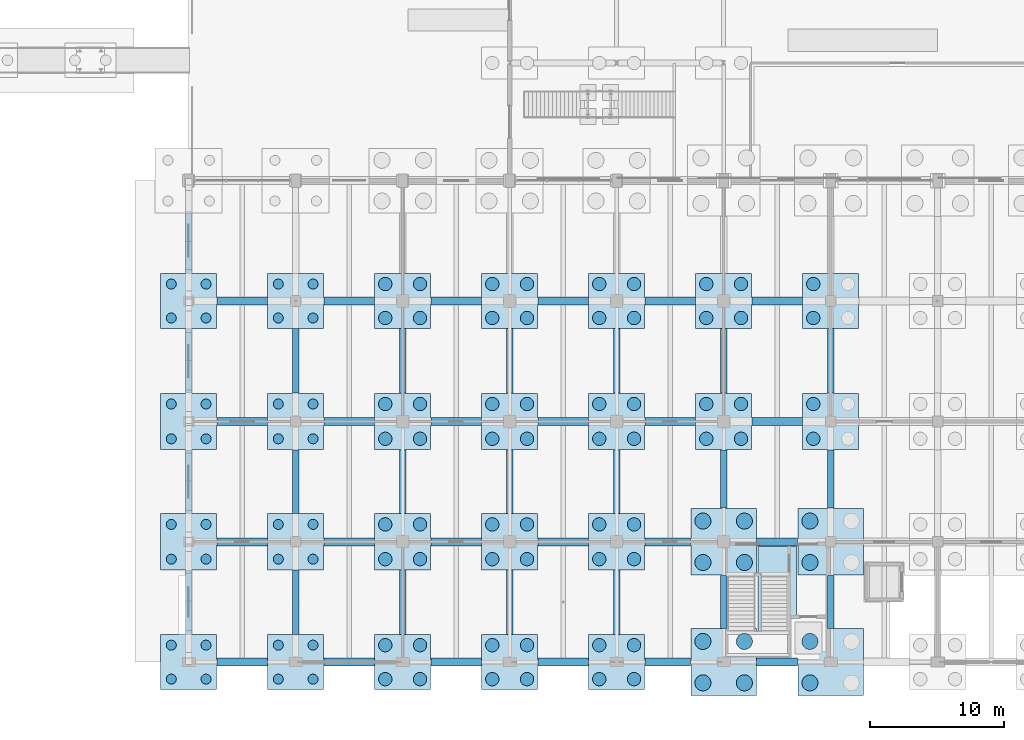
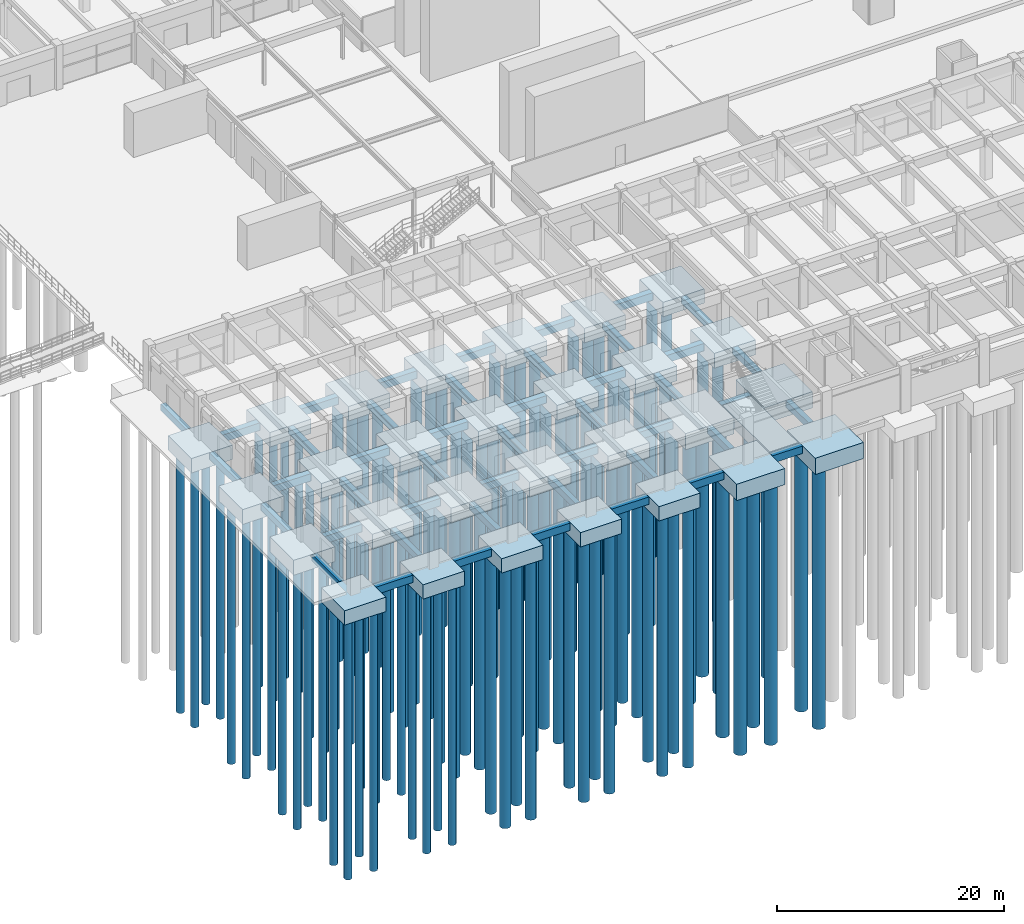
# One storey, part 1 of 147: 104 piles, 75 footings.
"""IFC4 building model written with IfcOpenShell, lengths in metres."""

from ifc_helpers import new_model, si_unit, direction, frame, origin, origin_2d, place, context, subcontext, project, spatial, rectangle, circle, extrude, material, layer, layer_set, material_profile, profile_set, type_object, element, save


model = new_model("IFC4")

# Units and contexts
model_context = context("Model", 3, precision=1e-05, world=origin(), true_north=direction((0.0, 1.0)))
body_context = subcontext(model_context, "Body", "Model", "MODEL_VIEW")
ifc_project = project(units=[si_unit("LENGTHUNIT", "METRE"), si_unit("AREAUNIT", "SQUARE_METRE"), si_unit("VOLUMEUNIT", "CUBIC_METRE"), si_unit("PLANEANGLEUNIT", "RADIAN"), si_unit("MASSUNIT", "GRAM", prefix="KILO")], contexts=[model_context])

# Site, building, storey
site_placement = place(None, origin())
site = spatial("IfcSite", under=ifc_project, at=site_placement, CompositionType="ELEMENT")
building_placement = place(site_placement, origin())
building = spatial("IfcBuilding", under=site, at=building_placement, Name="Varnabhumi Central Station", CompositionType="ELEMENT")
storey_placement = place(building_placement, origin())
storey = spatial("IfcBuildingStorey", under=building, at=storey_placement, Name="L00", CompositionType="ELEMENT", Elevation=0.0)

# Footings
ifc_material_1 = material(Name="Concrete M40", Category="concrete")
ifc_layer_1 = layer(ifc_material_1, 1.75, Name="Concrete M40", Category="concrete")
ifc_layer_set_1 = layer_set([ifc_layer_1], Name="Concrete M40")
footing_type_1 = type_object("IfcFootingType", Name="CAP-CORE-6S", PredefinedType="PILE_CAP", material=ifc_layer_set_1)
for number, where, z_axis, x_axis, name in (
    (1, (40.0, 0.0, -2.050048828125), (0.0, 0.0, 1.0), (1.0, 0.0, 0.0), "Pile Cap 6-A"),
    (2, (40.0, 9.0, -2.050048828125), (0.0, 0.0, 1.0), (1.0, 0.0, 0.0), "Pile Cap 6-B"),
    (3, (48.0, 0.0, -2.050048828125), (0.0, 0.0, 1.0), (1.0, 0.0, 0.0), "Pile Cap 7-A"),
    (4, (48.0, 9.0, -2.050048828125), (0.0, 0.0, 1.0), (1.0, 0.0, 0.0), "Pile Cap 7-B"),
):
    element("IfcFooting", number, at=place(storey_placement, frame(where, z_axis=z_axis, x_axis=x_axis)), inside=storey, type_object=footing_type_1, Name=name, PredefinedType="PILE_CAP", context=body_context, shape_type="SweptSolid", body=[
        extrude(rectangle(XDim=4.89990234375, YDim=5.0, at=origin_2d()), origin(), (0.0, 0.0, 1.0), 1.75),
    ])
ifc_layer_2 = layer(ifc_material_1, 1.60009765625, Name="Concrete M40", Category="concrete")
ifc_layer_set_2 = layer_set([ifc_layer_2], Name="Concrete M40")
footing_type_2 = type_object("IfcFootingType", Name="CAP-SOUTH-INT", PredefinedType="PILE_CAP", material=ifc_layer_set_2)
for number, where, z_axis, x_axis, name in (
    (5, (0.0, 9.0, -1.900146484375), (0.0, 0.0, 1.0), (1.0, 0.0, 0.0), "Pile Cap 1-B"),
    (6, (0.0, 18.0, -1.900146484375), (0.0, 0.0, 1.0), (1.0, 0.0, 0.0), "Pile Cap 1-C"),
    (7, (8.0, 9.0, -1.900146484375), (0.0, 0.0, 1.0), (1.0, 0.0, 0.0), "Pile Cap 2-B"),
    (8, (8.0, 18.0, -1.900146484375), (0.0, 0.0, 1.0), (1.0, 0.0, 0.0), "Pile Cap 2-C"),
    (9, (16.0, 9.0, -1.900146484375), (0.0, 0.0, 1.0), (1.0, 0.0, 0.0), "Pile Cap 3-B"),
    (10, (16.0, 18.0, -1.900146484375), (0.0, 0.0, 1.0), (1.0, 0.0, 0.0), "Pile Cap 3-C"),
    (11, (24.0, 9.0, -1.900146484375), (0.0, 0.0, 1.0), (1.0, 0.0, 0.0), "Pile Cap 4-B"),
    (12, (24.0, 18.0, -1.900146484375), (0.0, 0.0, 1.0), (1.0, 0.0, 0.0), "Pile Cap 4-C"),
    (13, (32.0, 9.0, -1.900146484375), (0.0, 0.0, 1.0), (1.0, 0.0, 0.0), "Pile Cap 5-B"),
    (14, (32.0, 18.0, -1.900146484375), (0.0, 0.0, 1.0), (1.0, 0.0, 0.0), "Pile Cap 5-C"),
    (15, (40.0, 18.0, -1.900146484375), (0.0, 0.0, 1.0), (1.0, 0.0, 0.0), "Pile Cap 6-C"),
    (16, (48.0, 18.0, -1.900146484375), (0.0, 0.0, 1.0), (1.0, 0.0, 0.0), "Pile Cap 7-C"),
):
    element("IfcFooting", number, at=place(storey_placement, frame(where, z_axis=z_axis, x_axis=x_axis)), inside=storey, type_object=footing_type_2, Name=name, PredefinedType="PILE_CAP", context=body_context, shape_type="SweptSolid", body=[
        extrude(rectangle(XDim=4.199951171875, YDim=4.199951171875, at=origin_2d()), origin(), (0.0, 0.0, 1.0), 1.60009765625),
    ])
ifc_layer_3 = layer(ifc_material_1, 1.550048828125, Name="Concrete M40", Category="concrete")
ifc_layer_set_3 = layer_set([ifc_layer_3], Name="Concrete M40")
footing_type_3 = type_object("IfcFootingType", Name="CAP-SOUTH-PER", PredefinedType="PILE_CAP", material=ifc_layer_set_3)
for number, where, z_axis, x_axis, name in (
    (17, (0.0, 0.0, -1.85009765625), (0.0, 0.0, 1.0), (1.0, 0.0, 0.0), "Pile Cap 1-A"),
    (18, (0.0, 27.0, -1.85009765625), (0.0, 0.0, 1.0), (1.0, 0.0, 0.0), "Pile Cap 1-D"),
    (19, (8.0, 0.0, -1.85009765625), (0.0, 0.0, 1.0), (1.0, 0.0, 0.0), "Pile Cap 2-A"),
    (20, (8.0, 27.0, -1.85009765625), (0.0, 0.0, 1.0), (1.0, 0.0, 0.0), "Pile Cap 2-D"),
    (21, (16.0, 0.0, -1.85009765625), (0.0, 0.0, 1.0), (1.0, 0.0, 0.0), "Pile Cap 3-A"),
    (22, (16.0, 27.0, -1.85009765625), (0.0, 0.0, 1.0), (1.0, 0.0, 0.0), "Pile Cap 3-D"),
    (23, (24.0, 0.0, -1.85009765625), (0.0, 0.0, 1.0), (1.0, 0.0, 0.0), "Pile Cap 4-A"),
    (24, (24.0, 27.0, -1.85009765625), (0.0, 0.0, 1.0), (1.0, 0.0, 0.0), "Pile Cap 4-D"),
    (25, (32.0, 0.0, -1.85009765625), (0.0, 0.0, 1.0), (1.0, 0.0, 0.0), "Pile Cap 5-A"),
    (26, (32.0, 27.0, -1.85009765625), (0.0, 0.0, 1.0), (1.0, 0.0, 0.0), "Pile Cap 5-D"),
    (27, (40.0, 27.0, -1.85009765625), (0.0, 0.0, 1.0), (1.0, 0.0, 0.0), "Pile Cap 6-D"),
    (28, (48.0, 27.0, -1.85009765625), (0.0, 0.0, 1.0), (1.0, 0.0, 0.0), "Pile Cap 7-D"),
):
    element("IfcFooting", number, at=place(storey_placement, frame(where, z_axis=z_axis, x_axis=x_axis)), inside=storey, type_object=footing_type_3, Name=name, PredefinedType="PILE_CAP", context=body_context, shape_type="SweptSolid", body=[
        extrude(rectangle(XDim=4.199951171875, YDim=4.10009765625, at=origin_2d()), origin(), (0.0, 0.0, 1.0), 1.550048828125),
    ])
footing_type_4 = type_object("IfcFootingType", Name="FTG-STRIP-PLAT", PredefinedType="STRIP_FOOTING", material=ifc_material_1)
footing_1_placement = place(storey_placement, frame((44.0, 4.5, -1.60009765625), z_axis=(0.0, 0.0, 1.0), x_axis=(1.0, 0.0, 0.0)))
element("IfcFooting", 29, at=footing_1_placement, inside=storey, type_object=footing_type_4, Name="Core Foundation Mat SC1", PredefinedType="STRIP_FOOTING", context=body_context, shape_type="SweptSolid", body=[
    extrude(rectangle(XDim=2.89990234375, YDim=8.300048828125, at=origin_2d()), origin(), (0.0, 0.0, 1.0), 1.300048828125),
])
footing_type_5 = type_object("IfcFootingType", Name="FTG-TIE-500x700", PredefinedType="FOOTING_BEAM", material=ifc_material_1)
footing_2_placement = place(storey_placement, frame((0.0, 4.47509765625, -1.0), z_axis=(0.0, 0.0, 1.0), x_axis=(1.0, 0.0, 0.0)))
element("IfcFooting", 30, at=footing_2_placement, inside=storey, type_object=footing_type_5, Name="Plinth Tie Beam 1:A-B", PredefinedType="FOOTING_BEAM", context=body_context, shape_type="SweptSolid", body=[
    extrude(rectangle(XDim=0.5, YDim=4.81005859375, at=origin_2d()), origin(), (0.0, 0.0, 1.0), 0.699951171875),
])
footing_3_placement = place(storey_placement, frame((0.0, 13.5, -1.0), z_axis=(0.0, 0.0, 1.0), x_axis=(1.0, 0.0, 0.0)))
element("IfcFooting", 31, at=footing_3_placement, inside=storey, type_object=footing_type_5, Name="Plinth Tie Beam 1:B-C", PredefinedType="FOOTING_BEAM", context=body_context, shape_type="SweptSolid", body=[
    extrude(rectangle(XDim=0.5, YDim=4.760009765625, at=origin_2d()), origin(), (0.0, 0.0, 1.0), 0.699951171875),
])
footing_4_placement = place(storey_placement, frame((0.0, 22.52490234375, -1.0), z_axis=(0.0, 0.0, 1.0), x_axis=(1.0, 0.0, 0.0)))
element("IfcFooting", 32, at=footing_4_placement, inside=storey, type_object=footing_type_5, Name="Plinth Tie Beam 1:C-D", PredefinedType="FOOTING_BEAM", context=body_context, shape_type="SweptSolid", body=[
    extrude(rectangle(XDim=0.5, YDim=4.81005859375, at=origin_2d()), origin(), (0.0, 0.0, 1.0), 0.699951171875),
])
footing_5_placement = place(storey_placement, frame((0.0, 31.324951171875, -1.0), z_axis=(0.0, 0.0, 1.0), x_axis=(1.0, 0.0, 0.0)))
element("IfcFooting", 33, at=footing_5_placement, inside=storey, type_object=footing_type_5, Name="Plinth Tie Beam 1:D-E", PredefinedType="FOOTING_BEAM", context=body_context, shape_type="SweptSolid", body=[
    extrude(rectangle(XDim=0.5, YDim=4.510009765625, at=origin_2d()), origin(), (0.0, 0.0, 1.0), 0.699951171875),
])
footing_6_placement = place(storey_placement, frame((8.0, 4.47509765625, -1.0), z_axis=(0.0, 0.0, 1.0), x_axis=(1.0, 0.0, 0.0)))
element("IfcFooting", 34, at=footing_6_placement, inside=storey, type_object=footing_type_5, Name="Plinth Tie Beam 2:A-B", PredefinedType="FOOTING_BEAM", context=body_context, shape_type="SweptSolid", body=[
    extrude(rectangle(XDim=0.5, YDim=4.81005859375, at=origin_2d()), origin(), (0.0, 0.0, 1.0), 0.699951171875),
])
footing_7_placement = place(storey_placement, frame((8.0, 13.5, -1.0), z_axis=(0.0, 0.0, 1.0), x_axis=(1.0, 0.0, 0.0)))
element("IfcFooting", 35, at=footing_7_placement, inside=storey, type_object=footing_type_5, Name="Plinth Tie Beam 2:B-C", PredefinedType="FOOTING_BEAM", context=body_context, shape_type="SweptSolid", body=[
    extrude(rectangle(XDim=0.5, YDim=4.760009765625, at=origin_2d()), origin(), (0.0, 0.0, 1.0), 0.699951171875),
])
for number, where, z_axis, x_axis, name in (
    (36, (8.0, 22.52490234375, -1.0), (0.0, 0.0, 1.0), (1.0, 0.0, 0.0), "Plinth Tie Beam 2:C-D"),
    (37, (16.0, 4.47509765625, -1.0), (0.0, 0.0, 1.0), (1.0, 0.0, 0.0), "Plinth Tie Beam 3:A-B"),
):
    element("IfcFooting", number, at=place(storey_placement, frame(where, z_axis=z_axis, x_axis=x_axis)), inside=storey, type_object=footing_type_5, Name=name, PredefinedType="FOOTING_BEAM", context=body_context, shape_type="SweptSolid", body=[
        extrude(rectangle(XDim=0.5, YDim=4.81005859375, at=origin_2d()), origin(), (0.0, 0.0, 1.0), 0.699951171875),
    ])
footing_8_placement = place(storey_placement, frame((16.0, 13.5, -1.0), z_axis=(0.0, 0.0, 1.0), x_axis=(1.0, 0.0, 0.0)))
element("IfcFooting", 38, at=footing_8_placement, inside=storey, type_object=footing_type_5, Name="Plinth Tie Beam 3:B-C", PredefinedType="FOOTING_BEAM", context=body_context, shape_type="SweptSolid", body=[
    extrude(rectangle(XDim=0.5, YDim=4.760009765625, at=origin_2d()), origin(), (0.0, 0.0, 1.0), 0.699951171875),
])
for number, where, z_axis, x_axis, name in (
    (39, (16.0, 22.52490234375, -1.0), (0.0, 0.0, 1.0), (1.0, 0.0, 0.0), "Plinth Tie Beam 3:C-D"),
    (40, (24.0, 4.47509765625, -1.0), (0.0, 0.0, 1.0), (1.0, 0.0, 0.0), "Plinth Tie Beam 4:A-B"),
):
    element("IfcFooting", number, at=place(storey_placement, frame(where, z_axis=z_axis, x_axis=x_axis)), inside=storey, type_object=footing_type_5, Name=name, PredefinedType="FOOTING_BEAM", context=body_context, shape_type="SweptSolid", body=[
        extrude(rectangle(XDim=0.5, YDim=4.81005859375, at=origin_2d()), origin(), (0.0, 0.0, 1.0), 0.699951171875),
    ])
footing_9_placement = place(storey_placement, frame((24.0, 13.5, -1.0), z_axis=(0.0, 0.0, 1.0), x_axis=(1.0, 0.0, 0.0)))
element("IfcFooting", 41, at=footing_9_placement, inside=storey, type_object=footing_type_5, Name="Plinth Tie Beam 4:B-C", PredefinedType="FOOTING_BEAM", context=body_context, shape_type="SweptSolid", body=[
    extrude(rectangle(XDim=0.5, YDim=4.760009765625, at=origin_2d()), origin(), (0.0, 0.0, 1.0), 0.699951171875),
])
for number, where, z_axis, x_axis, name in (
    (42, (24.0, 22.52490234375, -1.0), (0.0, 0.0, 1.0), (1.0, 0.0, 0.0), "Plinth Tie Beam 4:C-D"),
    (43, (32.0, 4.47509765625, -1.0), (0.0, 0.0, 1.0), (1.0, 0.0, 0.0), "Plinth Tie Beam 5:A-B"),
):
    element("IfcFooting", number, at=place(storey_placement, frame(where, z_axis=z_axis, x_axis=x_axis)), inside=storey, type_object=footing_type_5, Name=name, PredefinedType="FOOTING_BEAM", context=body_context, shape_type="SweptSolid", body=[
        extrude(rectangle(XDim=0.5, YDim=4.81005859375, at=origin_2d()), origin(), (0.0, 0.0, 1.0), 0.699951171875),
    ])
footing_10_placement = place(storey_placement, frame((32.0, 13.5, -1.0), z_axis=(0.0, 0.0, 1.0), x_axis=(1.0, 0.0, 0.0)))
element("IfcFooting", 44, at=footing_10_placement, inside=storey, type_object=footing_type_5, Name="Plinth Tie Beam 5:B-C", PredefinedType="FOOTING_BEAM", context=body_context, shape_type="SweptSolid", body=[
    extrude(rectangle(XDim=0.5, YDim=4.760009765625, at=origin_2d()), origin(), (0.0, 0.0, 1.0), 0.699951171875),
])
footing_11_placement = place(storey_placement, frame((32.0, 22.52490234375, -1.0), z_axis=(0.0, 0.0, 1.0), x_axis=(1.0, 0.0, 0.0)))
element("IfcFooting", 45, at=footing_11_placement, inside=storey, type_object=footing_type_5, Name="Plinth Tie Beam 5:C-D", PredefinedType="FOOTING_BEAM", context=body_context, shape_type="SweptSolid", body=[
    extrude(rectangle(XDim=0.5, YDim=4.81005859375, at=origin_2d()), origin(), (0.0, 0.0, 1.0), 0.699951171875),
])
footing_12_placement = place(storey_placement, frame((40.0, 4.5, -1.0), z_axis=(0.0, 0.0, 1.0), x_axis=(1.0, 0.0, 0.0)))
element("IfcFooting", 46, at=footing_12_placement, inside=storey, type_object=footing_type_5, Name="Plinth Tie Beam 6:A-B", PredefinedType="FOOTING_BEAM", context=body_context, shape_type="SweptSolid", body=[
    extrude(rectangle(XDim=0.5, YDim=3.9599609375, at=origin_2d()), origin(), (0.0, 0.0, 1.0), 0.699951171875),
])
footing_13_placement = place(storey_placement, frame((40.0, 13.699951171875, -1.0), z_axis=(0.0, 0.0, 1.0), x_axis=(1.0, 0.0, 0.0)))
element("IfcFooting", 47, at=footing_13_placement, inside=storey, type_object=footing_type_5, Name="Plinth Tie Beam 6:B-C", PredefinedType="FOOTING_BEAM", context=body_context, shape_type="SweptSolid", body=[
    extrude(rectangle(XDim=0.5, YDim=4.360107421875, at=origin_2d()), origin(), (0.0, 0.0, 1.0), 0.699951171875),
])
footing_14_placement = place(storey_placement, frame((40.0, 22.52490234375, -1.0), z_axis=(0.0, 0.0, 1.0), x_axis=(1.0, 0.0, 0.0)))
element("IfcFooting", 48, at=footing_14_placement, inside=storey, type_object=footing_type_5, Name="Plinth Tie Beam 6:C-D", PredefinedType="FOOTING_BEAM", context=body_context, shape_type="SweptSolid", body=[
    extrude(rectangle(XDim=0.5, YDim=4.81005859375, at=origin_2d()), origin(), (0.0, 0.0, 1.0), 0.699951171875),
])
footing_15_placement = place(storey_placement, frame((48.0, 4.5, -1.0), z_axis=(0.0, 0.0, 1.0), x_axis=(1.0, 0.0, 0.0)))
element("IfcFooting", 49, at=footing_15_placement, inside=storey, type_object=footing_type_5, Name="Plinth Tie Beam 7:A-B", PredefinedType="FOOTING_BEAM", context=body_context, shape_type="SweptSolid", body=[
    extrude(rectangle(XDim=0.5, YDim=3.9599609375, at=origin_2d()), origin(), (0.0, 0.0, 1.0), 0.699951171875),
])
footing_16_placement = place(storey_placement, frame((48.0, 13.699951171875, -1.0), z_axis=(0.0, 0.0, 1.0), x_axis=(1.0, 0.0, 0.0)))
element("IfcFooting", 50, at=footing_16_placement, inside=storey, type_object=footing_type_5, Name="Plinth Tie Beam 7:B-C", PredefinedType="FOOTING_BEAM", context=body_context, shape_type="SweptSolid", body=[
    extrude(rectangle(XDim=0.5, YDim=4.360107421875, at=origin_2d()), origin(), (0.0, 0.0, 1.0), 0.699951171875),
])
footing_17_placement = place(storey_placement, frame((48.0, 22.52490234375, -1.0), z_axis=(0.0, 0.0, 1.0), x_axis=(1.0, 0.0, 0.0)))
element("IfcFooting", 51, at=footing_17_placement, inside=storey, type_object=footing_type_5, Name="Plinth Tie Beam 7:C-D", PredefinedType="FOOTING_BEAM", context=body_context, shape_type="SweptSolid", body=[
    extrude(rectangle(XDim=0.5, YDim=4.81005859375, at=origin_2d()), origin(), (0.0, 0.0, 1.0), 0.699951171875),
])
footing_type_6 = type_object("IfcFootingType", Name="FTG-TIE-600x800", PredefinedType="FOOTING_BEAM", material=ifc_material_1)
for number, where, z_axis, x_axis, name in (
    (52, (4.0, 0.0, -1.10009765625), (0.0, 0.0, 1.0), (1.0, 0.0, 0.0), "Plinth Tie Beam A:1-2"),
    (53, (4.0, 9.0, -1.10009765625), (0.0, 0.0, 1.0), (1.0, 0.0, 0.0), "Plinth Tie Beam B:1-2"),
    (54, (4.0, 18.0, -1.10009765625), (0.0, 0.0, 1.0), (1.0, 0.0, 0.0), "Plinth Tie Beam C:1-2"),
    (55, (4.0, 27.0, -1.10009765625), (0.0, 0.0, 1.0), (1.0, 0.0, 0.0), "Plinth Tie Beam D:1-2"),
    (56, (12.0, 0.0, -1.10009765625), (0.0, 0.0, 1.0), (1.0, 0.0, 0.0), "Plinth Tie Beam A:2-3"),
    (57, (12.0, 9.0, -1.10009765625), (0.0, 0.0, 1.0), (1.0, 0.0, 0.0), "Plinth Tie Beam B:2-3"),
    (58, (12.0, 18.0, -1.10009765625), (0.0, 0.0, 1.0), (1.0, 0.0, 0.0), "Plinth Tie Beam C:2-3"),
    (59, (12.0, 27.0, -1.10009765625), (0.0, 0.0, 1.0), (1.0, 0.0, 0.0), "Plinth Tie Beam D:2-3"),
    (60, (20.0, 0.0, -1.10009765625), (0.0, 0.0, 1.0), (1.0, 0.0, 0.0), "Plinth Tie Beam A:3-4"),
    (61, (20.0, 9.0, -1.10009765625), (0.0, 0.0, 1.0), (1.0, 0.0, 0.0), "Plinth Tie Beam B:3-4"),
    (62, (20.0, 18.0, -1.10009765625), (0.0, 0.0, 1.0), (1.0, 0.0, 0.0), "Plinth Tie Beam C:3-4"),
    (63, (20.0, 27.0, -1.10009765625), (0.0, 0.0, 1.0), (1.0, 0.0, 0.0), "Plinth Tie Beam D:3-4"),
    (64, (28.0, 0.0, -1.10009765625), (0.0, 0.0, 1.0), (1.0, 0.0, 0.0), "Plinth Tie Beam A:4-5"),
    (65, (28.0, 9.0, -1.10009765625), (0.0, 0.0, 1.0), (1.0, 0.0, 0.0), "Plinth Tie Beam B:4-5"),
    (66, (28.0, 18.0, -1.10009765625), (0.0, 0.0, 1.0), (1.0, 0.0, 0.0), "Plinth Tie Beam C:4-5"),
    (67, (28.0, 27.0, -1.10009765625), (0.0, 0.0, 1.0), (1.0, 0.0, 0.0), "Plinth Tie Beam D:4-5"),
):
    element("IfcFooting", number, at=place(storey_placement, frame(where, z_axis=z_axis, x_axis=x_axis)), inside=storey, type_object=footing_type_6, Name=name, PredefinedType="FOOTING_BEAM", context=body_context, shape_type="SweptSolid", body=[
        extrude(rectangle(XDim=3.760009765625, YDim=0.60009765625, at=origin_2d()), origin(), (0.0, 0.0, 1.0), 0.800048828125),
    ])
for number, where, z_axis, x_axis, name in (
    (68, (35.824951171875, 0.0, -1.10009765625), (0.0, 0.0, 1.0), (1.0, 0.0, 0.0), "Plinth Tie Beam A:5-6"),
    (69, (35.824951171875, 9.0, -1.10009765625), (0.0, 0.0, 1.0), (1.0, 0.0, 0.0), "Plinth Tie Beam B:5-6"),
):
    element("IfcFooting", number, at=place(storey_placement, frame(where, z_axis=z_axis, x_axis=x_axis)), inside=storey, type_object=footing_type_6, Name=name, PredefinedType="FOOTING_BEAM", context=body_context, shape_type="SweptSolid", body=[
        extrude(rectangle(XDim=3.409912109375, YDim=0.60009765625, at=origin_2d()), origin(), (0.0, 0.0, 1.0), 0.800048828125),
    ])
for number, where, z_axis, x_axis, name in (
    (70, (36.0, 18.0, -1.10009765625), (0.0, 0.0, 1.0), (1.0, 0.0, 0.0), "Plinth Tie Beam C:5-6"),
    (71, (36.0, 27.0, -1.10009765625), (0.0, 0.0, 1.0), (1.0, 0.0, 0.0), "Plinth Tie Beam D:5-6"),
):
    element("IfcFooting", number, at=place(storey_placement, frame(where, z_axis=z_axis, x_axis=x_axis)), inside=storey, type_object=footing_type_6, Name=name, PredefinedType="FOOTING_BEAM", context=body_context, shape_type="SweptSolid", body=[
        extrude(rectangle(XDim=3.760009765625, YDim=0.60009765625, at=origin_2d()), origin(), (0.0, 0.0, 1.0), 0.800048828125),
    ])
for number, where, z_axis, x_axis, name in (
    (72, (44.0, 0.0, -1.10009765625), (0.0, 0.0, 1.0), (1.0, 0.0, 0.0), "Plinth Tie Beam A:6-7"),
    (73, (44.0, 9.0, -1.10009765625), (0.0, 0.0, 1.0), (1.0, 0.0, 0.0), "Plinth Tie Beam B:6-7"),
):
    element("IfcFooting", number, at=place(storey_placement, frame(where, z_axis=z_axis, x_axis=x_axis)), inside=storey, type_object=footing_type_6, Name=name, PredefinedType="FOOTING_BEAM", context=body_context, shape_type="SweptSolid", body=[
        extrude(rectangle(XDim=3.06005859375, YDim=0.60009765625, at=origin_2d()), origin(), (0.0, 0.0, 1.0), 0.800048828125),
    ])
for number, where, z_axis, x_axis, name in (
    (74, (44.0, 18.0, -1.10009765625), (0.0, 0.0, 1.0), (1.0, 0.0, 0.0), "Plinth Tie Beam C:6-7"),
    (75, (44.0, 27.0, -1.10009765625), (0.0, 0.0, 1.0), (1.0, 0.0, 0.0), "Plinth Tie Beam D:6-7"),
):
    element("IfcFooting", number, at=place(storey_placement, frame(where, z_axis=z_axis, x_axis=x_axis)), inside=storey, type_object=footing_type_6, Name=name, PredefinedType="FOOTING_BEAM", context=body_context, shape_type="SweptSolid", body=[
        extrude(rectangle(XDim=3.760009765625, YDim=0.60009765625, at=origin_2d()), origin(), (0.0, 0.0, 1.0), 0.800048828125),
    ])

# Piles
ifc_material_2 = material(Name="Concrete M35", Category="concrete")
ifc_material_profile_1 = material_profile(ifc_material_2, circle(Radius=0.5, at=origin_2d()), Name="Concrete M35", Category="concrete")
ifc_profile_set_1 = profile_set([ifc_material_profile_1], Name="Concrete M35")
pile_type_1 = type_object("IfcPileType", Name="PILE-D1000", PredefinedType="BORED", material=ifc_profile_set_1)
for number, where, z_axis, x_axis, name in (
    (76, (14.699951171875, -1.27001953125, -1.75), (0.0, 0.0, -1.0), (1.0, 0.0, 0.0), "Bored Pile 3-A-P1"),
    (77, (17.300048828125, -1.27001953125, -1.75), (0.0, 0.0, -1.0), (1.0, 0.0, 0.0), "Bored Pile 3-A-P2"),
    (78, (14.699951171875, 1.27001953125, -1.75), (0.0, 0.0, -1.0), (1.0, 0.0, 0.0), "Bored Pile 3-A-P3"),
    (79, (17.300048828125, 1.27001953125, -1.75), (0.0, 0.0, -1.0), (1.0, 0.0, 0.0), "Bored Pile 3-A-P4"),
    (80, (14.699951171875, 7.699951171875, -1.800048828125), (0.0, 0.0, -1.0), (1.0, 0.0, 0.0), "Bored Pile 3-B-P1"),
    (81, (17.300048828125, 7.699951171875, -1.800048828125), (0.0, 0.0, -1.0), (1.0, 0.0, 0.0), "Bored Pile 3-B-P2"),
    (82, (14.699951171875, 10.300048828125, -1.800048828125), (0.0, 0.0, -1.0), (1.0, 0.0, 0.0), "Bored Pile 3-B-P3"),
    (83, (17.300048828125, 10.300048828125, -1.800048828125), (0.0, 0.0, -1.0), (1.0, 0.0, 0.0), "Bored Pile 3-B-P4"),
    (84, (14.699951171875, 16.699951171875, -1.800048828125), (0.0, 0.0, -1.0), (1.0, 0.0, 0.0), "Bored Pile 3-C-P1"),
    (85, (17.300048828125, 16.699951171875, -1.800048828125), (0.0, 0.0, -1.0), (1.0, 0.0, 0.0), "Bored Pile 3-C-P2"),
    (86, (14.699951171875, 19.300048828125, -1.800048828125), (0.0, 0.0, -1.0), (1.0, 0.0, 0.0), "Bored Pile 3-C-P3"),
    (87, (17.300048828125, 19.300048828125, -1.800048828125), (0.0, 0.0, -1.0), (1.0, 0.0, 0.0), "Bored Pile 3-C-P4"),
    (88, (14.699951171875, 25.72998046875, -1.75), (0.0, 0.0, -1.0), (1.0, 0.0, 0.0), "Bored Pile 3-D-P1"),
    (89, (17.300048828125, 25.72998046875, -1.75), (0.0, 0.0, -1.0), (1.0, 0.0, 0.0), "Bored Pile 3-D-P2"),
    (90, (14.699951171875, 28.27001953125, -1.75), (0.0, 0.0, -1.0), (1.0, 0.0, 0.0), "Bored Pile 3-D-P3"),
    (91, (17.300048828125, 28.27001953125, -1.75), (0.0, 0.0, -1.0), (1.0, 0.0, 0.0), "Bored Pile 3-D-P4"),
    (92, (22.699951171875, -1.27001953125, -1.75), (0.0, 0.0, -1.0), (1.0, 0.0, 0.0), "Bored Pile 4-A-P1"),
    (93, (25.300048828125, -1.27001953125, -1.75), (0.0, 0.0, -1.0), (1.0, 0.0, 0.0), "Bored Pile 4-A-P2"),
    (94, (22.699951171875, 1.27001953125, -1.75), (0.0, 0.0, -1.0), (1.0, 0.0, 0.0), "Bored Pile 4-A-P3"),
    (95, (25.300048828125, 1.27001953125, -1.75), (0.0, 0.0, -1.0), (1.0, 0.0, 0.0), "Bored Pile 4-A-P4"),
    (96, (22.699951171875, 7.699951171875, -1.800048828125), (0.0, 0.0, -1.0), (1.0, 0.0, 0.0), "Bored Pile 4-B-P1"),
    (97, (25.300048828125, 7.699951171875, -1.800048828125), (0.0, 0.0, -1.0), (1.0, 0.0, 0.0), "Bored Pile 4-B-P2"),
    (98, (22.699951171875, 10.300048828125, -1.800048828125), (0.0, 0.0, -1.0), (1.0, 0.0, 0.0), "Bored Pile 4-B-P3"),
    (99, (25.300048828125, 10.300048828125, -1.800048828125), (0.0, 0.0, -1.0), (1.0, 0.0, 0.0), "Bored Pile 4-B-P4"),
    (100, (22.699951171875, 16.699951171875, -1.800048828125), (0.0, 0.0, -1.0), (1.0, 0.0, 0.0), "Bored Pile 4-C-P1"),
    (101, (25.300048828125, 16.699951171875, -1.800048828125), (0.0, 0.0, -1.0), (1.0, 0.0, 0.0), "Bored Pile 4-C-P2"),
    (102, (22.699951171875, 19.300048828125, -1.800048828125), (0.0, 0.0, -1.0), (1.0, 0.0, 0.0), "Bored Pile 4-C-P3"),
    (103, (25.300048828125, 19.300048828125, -1.800048828125), (0.0, 0.0, -1.0), (1.0, 0.0, 0.0), "Bored Pile 4-C-P4"),
    (104, (22.699951171875, 25.72998046875, -1.75), (0.0, 0.0, -1.0), (1.0, 0.0, 0.0), "Bored Pile 4-D-P1"),
    (105, (25.300048828125, 25.72998046875, -1.75), (0.0, 0.0, -1.0), (1.0, 0.0, 0.0), "Bored Pile 4-D-P2"),
    (106, (22.699951171875, 28.27001953125, -1.75), (0.0, 0.0, -1.0), (1.0, 0.0, 0.0), "Bored Pile 4-D-P3"),
    (107, (25.300048828125, 28.27001953125, -1.75), (0.0, 0.0, -1.0), (1.0, 0.0, 0.0), "Bored Pile 4-D-P4"),
    (108, (30.699951171875, -1.27001953125, -1.75), (0.0, 0.0, -1.0), (1.0, 0.0, 0.0), "Bored Pile 5-A-P1"),
    (109, (33.300048828125, -1.27001953125, -1.75), (0.0, 0.0, -1.0), (1.0, 0.0, 0.0), "Bored Pile 5-A-P2"),
    (110, (30.699951171875, 1.27001953125, -1.75), (0.0, 0.0, -1.0), (1.0, 0.0, 0.0), "Bored Pile 5-A-P3"),
    (111, (33.300048828125, 1.27001953125, -1.75), (0.0, 0.0, -1.0), (1.0, 0.0, 0.0), "Bored Pile 5-A-P4"),
    (112, (30.699951171875, 7.699951171875, -1.800048828125), (0.0, 0.0, -1.0), (1.0, 0.0, 0.0), "Bored Pile 5-B-P1"),
    (113, (33.300048828125, 7.699951171875, -1.800048828125), (0.0, 0.0, -1.0), (1.0, 0.0, 0.0), "Bored Pile 5-B-P2"),
    (114, (30.699951171875, 10.300048828125, -1.800048828125), (0.0, 0.0, -1.0), (1.0, 0.0, 0.0), "Bored Pile 5-B-P3"),
    (115, (33.300048828125, 10.300048828125, -1.800048828125), (0.0, 0.0, -1.0), (1.0, 0.0, 0.0), "Bored Pile 5-B-P4"),
    (116, (30.699951171875, 16.699951171875, -1.800048828125), (0.0, 0.0, -1.0), (1.0, 0.0, 0.0), "Bored Pile 5-C-P1"),
    (117, (33.300048828125, 16.699951171875, -1.800048828125), (0.0, 0.0, -1.0), (1.0, 0.0, 0.0), "Bored Pile 5-C-P2"),
    (118, (30.699951171875, 19.300048828125, -1.800048828125), (0.0, 0.0, -1.0), (1.0, 0.0, 0.0), "Bored Pile 5-C-P3"),
    (119, (33.300048828125, 19.300048828125, -1.800048828125), (0.0, 0.0, -1.0), (1.0, 0.0, 0.0), "Bored Pile 5-C-P4"),
    (120, (30.699951171875, 25.72998046875, -1.75), (0.0, 0.0, -1.0), (1.0, 0.0, 0.0), "Bored Pile 5-D-P1"),
    (121, (33.300048828125, 25.72998046875, -1.75), (0.0, 0.0, -1.0), (1.0, 0.0, 0.0), "Bored Pile 5-D-P2"),
    (122, (30.699951171875, 28.27001953125, -1.75), (0.0, 0.0, -1.0), (1.0, 0.0, 0.0), "Bored Pile 5-D-P3"),
    (123, (33.300048828125, 28.27001953125, -1.75), (0.0, 0.0, -1.0), (1.0, 0.0, 0.0), "Bored Pile 5-D-P4"),
    (124, (38.699951171875, 16.699951171875, -1.800048828125), (0.0, 0.0, -1.0), (1.0, 0.0, 0.0), "Bored Pile 6-C-P1"),
    (125, (41.300048828125, 16.699951171875, -1.800048828125), (0.0, 0.0, -1.0), (1.0, 0.0, 0.0), "Bored Pile 6-C-P2"),
    (126, (38.699951171875, 19.300048828125, -1.800048828125), (0.0, 0.0, -1.0), (1.0, 0.0, 0.0), "Bored Pile 6-C-P3"),
    (127, (41.300048828125, 19.300048828125, -1.800048828125), (0.0, 0.0, -1.0), (1.0, 0.0, 0.0), "Bored Pile 6-C-P4"),
    (128, (38.699951171875, 25.72998046875, -1.75), (0.0, 0.0, -1.0), (1.0, 0.0, 0.0), "Bored Pile 6-D-P1"),
    (129, (41.300048828125, 25.72998046875, -1.75), (0.0, 0.0, -1.0), (1.0, 0.0, 0.0), "Bored Pile 6-D-P2"),
    (130, (38.699951171875, 28.27001953125, -1.75), (0.0, 0.0, -1.0), (1.0, 0.0, 0.0), "Bored Pile 6-D-P3"),
    (131, (41.300048828125, 28.27001953125, -1.75), (0.0, 0.0, -1.0), (1.0, 0.0, 0.0), "Bored Pile 6-D-P4"),
    (132, (46.699951171875, 16.699951171875, -1.800048828125), (0.0, 0.0, -1.0), (1.0, 0.0, 0.0), "Bored Pile 7-C-P1"),
    (133, (46.699951171875, 19.300048828125, -1.800048828125), (0.0, 0.0, -1.0), (1.0, 0.0, 0.0), "Bored Pile 7-C-P3"),
    (134, (46.699951171875, 25.72998046875, -1.75), (0.0, 0.0, -1.0), (1.0, 0.0, 0.0), "Bored Pile 7-D-P1"),
    (135, (46.699951171875, 28.27001953125, -1.75), (0.0, 0.0, -1.0), (1.0, 0.0, 0.0), "Bored Pile 7-D-P3"),
):
    element("IfcPile", number, at=place(storey_placement, frame(where, z_axis=z_axis, x_axis=x_axis)), inside=storey, type_object=pile_type_1, Name=name, PredefinedType="BORED", context=body_context, shape_type="SweptSolid", body=[
        extrude(circle(Radius=0.5, at=origin_2d()), origin(), (0.0, 0.0, 1.0), 28.0),
    ])
ifc_material_profile_2 = material_profile(ifc_material_2, circle(Radius=0.60009765625, at=origin_2d()), Name="Concrete M35", Category="concrete")
ifc_profile_set_2 = profile_set([ifc_material_profile_2], Name="Concrete M35")
pile_type_2 = type_object("IfcPileType", Name="PILE-D1200", PredefinedType="BORED", material=ifc_profile_set_2)
for number, where, z_axis, x_axis, name in (
    (136, (38.449951171875, -1.550048828125, -1.949951171875), (0.0, 0.0, -1.0), (1.0, 0.0, 0.0), "Bored Pile 6-A-P1"),
    (137, (41.550048828125, -1.550048828125, -1.949951171875), (0.0, 0.0, -1.0), (1.0, 0.0, 0.0), "Bored Pile 6-A-P2"),
    (138, (38.449951171875, 1.550048828125, -1.949951171875), (0.0, 0.0, -1.0), (1.0, 0.0, 0.0), "Bored Pile 6-A-P3"),
    (139, (41.550048828125, 1.550048828125, -1.949951171875), (0.0, 0.0, -1.0), (1.0, 0.0, 0.0), "Bored Pile 6-A-P4"),
    (140, (38.449951171875, 7.449951171875, -1.949951171875), (0.0, 0.0, -1.0), (1.0, 0.0, 0.0), "Bored Pile 6-B-P1"),
    (141, (41.550048828125, 7.449951171875, -1.949951171875), (0.0, 0.0, -1.0), (1.0, 0.0, 0.0), "Bored Pile 6-B-P2"),
    (142, (38.449951171875, 10.550048828125, -1.949951171875), (0.0, 0.0, -1.0), (1.0, 0.0, 0.0), "Bored Pile 6-B-P3"),
    (143, (41.550048828125, 10.550048828125, -1.949951171875), (0.0, 0.0, -1.0), (1.0, 0.0, 0.0), "Bored Pile 6-B-P4"),
    (144, (46.449951171875, -1.550048828125, -1.949951171875), (0.0, 0.0, -1.0), (1.0, 0.0, 0.0), "Bored Pile 7-A-P1"),
    (145, (46.449951171875, 1.550048828125, -1.949951171875), (0.0, 0.0, -1.0), (1.0, 0.0, 0.0), "Bored Pile 7-A-P3"),
    (146, (46.449951171875, 7.449951171875, -1.949951171875), (0.0, 0.0, -1.0), (1.0, 0.0, 0.0), "Bored Pile 7-B-P1"),
    (147, (46.449951171875, 10.550048828125, -1.949951171875), (0.0, 0.0, -1.0), (1.0, 0.0, 0.0), "Bored Pile 7-B-P3"),
):
    element("IfcPile", number, at=place(storey_placement, frame(where, z_axis=z_axis, x_axis=x_axis)), inside=storey, type_object=pile_type_2, Name=name, PredefinedType="BORED", context=body_context, shape_type="SweptSolid", body=[
        extrude(circle(Radius=0.60009765625, at=origin_2d()), origin(), (0.0, 0.0, 1.0), 28.0),
    ])
ifc_material_profile_3 = material_profile(ifc_material_2, circle(Radius=0.375, at=origin_2d()), Name="Concrete M35", Category="concrete")
ifc_profile_set_3 = profile_set([ifc_material_profile_3], Name="Concrete M35")
pile_type_3 = type_object("IfcPileType", Name="PILE-D750", PredefinedType="BORED", material=ifc_profile_set_3)
for number, where, z_axis, x_axis, name in (
    (148, (-1.300048828125, -1.27001953125, -1.75), (0.0, 0.0, -1.0), (1.0, 0.0, 0.0), "Bored Pile 1-A-P1"),
    (149, (1.300048828125, -1.27001953125, -1.75), (0.0, 0.0, -1.0), (1.0, 0.0, 0.0), "Bored Pile 1-A-P2"),
    (150, (-1.300048828125, 1.27001953125, -1.75), (0.0, 0.0, -1.0), (1.0, 0.0, 0.0), "Bored Pile 1-A-P3"),
    (151, (1.300048828125, 1.27001953125, -1.75), (0.0, 0.0, -1.0), (1.0, 0.0, 0.0), "Bored Pile 1-A-P4"),
    (152, (-1.300048828125, 7.699951171875, -1.800048828125), (0.0, 0.0, -1.0), (1.0, 0.0, 0.0), "Bored Pile 1-B-P1"),
    (153, (1.300048828125, 7.699951171875, -1.800048828125), (0.0, 0.0, -1.0), (1.0, 0.0, 0.0), "Bored Pile 1-B-P2"),
    (154, (-1.300048828125, 10.300048828125, -1.800048828125), (0.0, 0.0, -1.0), (1.0, 0.0, 0.0), "Bored Pile 1-B-P3"),
    (155, (1.300048828125, 10.300048828125, -1.800048828125), (0.0, 0.0, -1.0), (1.0, 0.0, 0.0), "Bored Pile 1-B-P4"),
    (156, (-1.300048828125, 16.699951171875, -1.800048828125), (0.0, 0.0, -1.0), (1.0, 0.0, 0.0), "Bored Pile 1-C-P1"),
    (157, (1.300048828125, 16.699951171875, -1.800048828125), (0.0, 0.0, -1.0), (1.0, 0.0, 0.0), "Bored Pile 1-C-P2"),
    (158, (-1.300048828125, 19.300048828125, -1.800048828125), (0.0, 0.0, -1.0), (1.0, 0.0, 0.0), "Bored Pile 1-C-P3"),
    (159, (1.300048828125, 19.300048828125, -1.800048828125), (0.0, 0.0, -1.0), (1.0, 0.0, 0.0), "Bored Pile 1-C-P4"),
    (160, (-1.300048828125, 25.72998046875, -1.75), (0.0, 0.0, -1.0), (1.0, 0.0, 0.0), "Bored Pile 1-D-P1"),
    (161, (1.300048828125, 25.72998046875, -1.75), (0.0, 0.0, -1.0), (1.0, 0.0, 0.0), "Bored Pile 1-D-P2"),
    (162, (-1.300048828125, 28.27001953125, -1.75), (0.0, 0.0, -1.0), (1.0, 0.0, 0.0), "Bored Pile 1-D-P3"),
    (163, (1.300048828125, 28.27001953125, -1.75), (0.0, 0.0, -1.0), (1.0, 0.0, 0.0), "Bored Pile 1-D-P4"),
    (164, (6.699951171875, -1.27001953125, -1.75), (0.0, 0.0, -1.0), (1.0, 0.0, 0.0), "Bored Pile 2-A-P1"),
    (165, (9.300048828125, -1.27001953125, -1.75), (0.0, 0.0, -1.0), (1.0, 0.0, 0.0), "Bored Pile 2-A-P2"),
    (166, (6.699951171875, 1.27001953125, -1.75), (0.0, 0.0, -1.0), (1.0, 0.0, 0.0), "Bored Pile 2-A-P3"),
    (167, (9.300048828125, 1.27001953125, -1.75), (0.0, 0.0, -1.0), (1.0, 0.0, 0.0), "Bored Pile 2-A-P4"),
    (168, (6.699951171875, 7.699951171875, -1.800048828125), (0.0, 0.0, -1.0), (1.0, 0.0, 0.0), "Bored Pile 2-B-P1"),
    (169, (9.300048828125, 7.699951171875, -1.800048828125), (0.0, 0.0, -1.0), (1.0, 0.0, 0.0), "Bored Pile 2-B-P2"),
    (170, (6.699951171875, 10.300048828125, -1.800048828125), (0.0, 0.0, -1.0), (1.0, 0.0, 0.0), "Bored Pile 2-B-P3"),
    (171, (9.300048828125, 10.300048828125, -1.800048828125), (0.0, 0.0, -1.0), (1.0, 0.0, 0.0), "Bored Pile 2-B-P4"),
    (172, (6.699951171875, 16.699951171875, -1.800048828125), (0.0, 0.0, -1.0), (1.0, 0.0, 0.0), "Bored Pile 2-C-P1"),
    (173, (9.300048828125, 16.699951171875, -1.800048828125), (0.0, 0.0, -1.0), (1.0, 0.0, 0.0), "Bored Pile 2-C-P2"),
    (174, (6.699951171875, 19.300048828125, -1.800048828125), (0.0, 0.0, -1.0), (1.0, 0.0, 0.0), "Bored Pile 2-C-P3"),
    (175, (9.300048828125, 19.300048828125, -1.800048828125), (0.0, 0.0, -1.0), (1.0, 0.0, 0.0), "Bored Pile 2-C-P4"),
    (176, (6.699951171875, 25.72998046875, -1.75), (0.0, 0.0, -1.0), (1.0, 0.0, 0.0), "Bored Pile 2-D-P1"),
    (177, (9.300048828125, 25.72998046875, -1.75), (0.0, 0.0, -1.0), (1.0, 0.0, 0.0), "Bored Pile 2-D-P2"),
    (178, (6.699951171875, 28.27001953125, -1.75), (0.0, 0.0, -1.0), (1.0, 0.0, 0.0), "Bored Pile 2-D-P3"),
    (179, (9.300048828125, 28.27001953125, -1.75), (0.0, 0.0, -1.0), (1.0, 0.0, 0.0), "Bored Pile 2-D-P4"),
):
    element("IfcPile", number, at=place(storey_placement, frame(where, z_axis=z_axis, x_axis=x_axis)), inside=storey, type_object=pile_type_3, Name=name, PredefinedType="BORED", context=body_context, shape_type="SweptSolid", body=[
        extrude(circle(Radius=0.375, at=origin_2d()), origin(), (0.0, 0.0, 1.0), 28.0),
    ])

save(model, "model.ifc")
